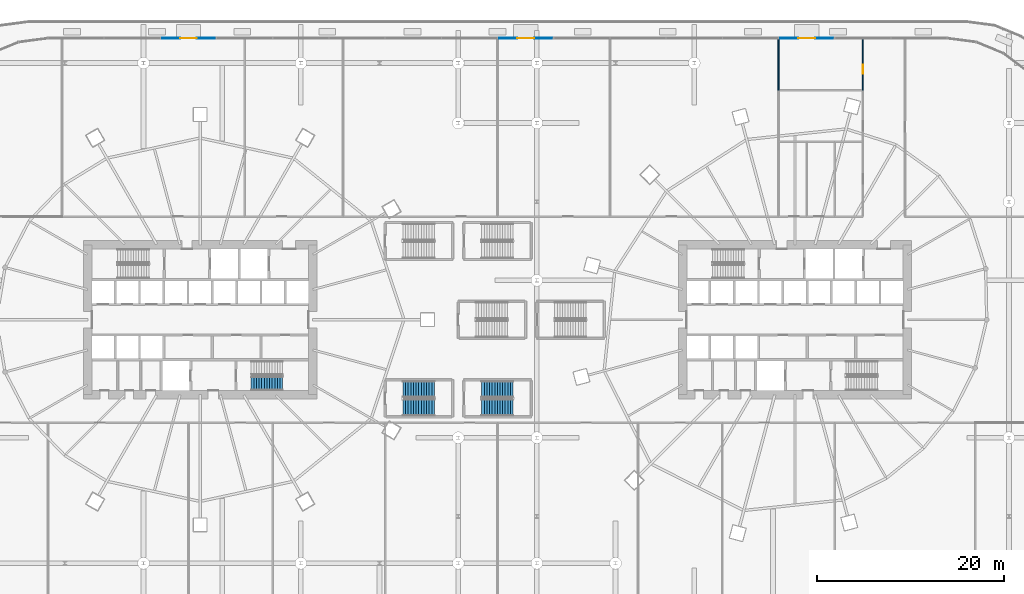
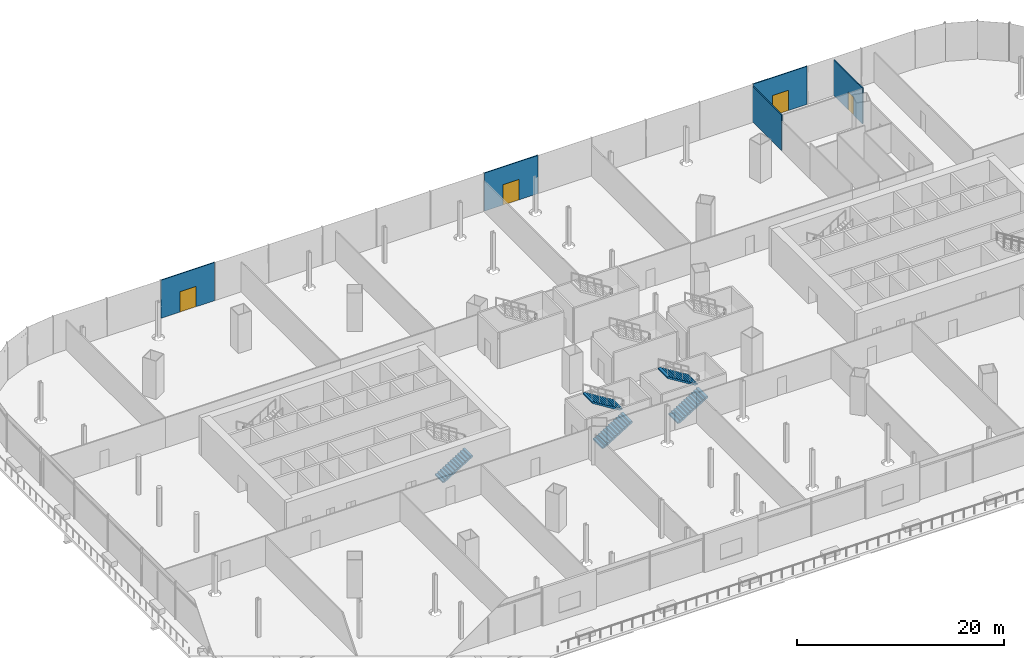
# One storey, part 44 of 56: 5 stair flights, 5 walls, 4 doors, 4 openings, 3 elements without a shape of their own.
"""IFC4 building model written with IfcOpenShell, lengths in metres."""

from ifc_helpers import new_model, si_unit, direction, frame, frame_2d, origin, place, context, subcontext, project, spatial, polyline, rectangle, outline, extrude, material, layer, layer_set, type_object, element, fill, aggregate, save


model = new_model("IFC4")

# Units and contexts
model_context = context("Model", 3, precision=1e-05, world=origin(), true_north=direction((0.0, 1.0)))
body_context = subcontext(model_context, "Body", "Model", "MODEL_VIEW")
ifc_project = project(units=[si_unit("LENGTHUNIT", "METRE"), si_unit("AREAUNIT", "SQUARE_METRE"), si_unit("VOLUMEUNIT", "CUBIC_METRE"), si_unit("PLANEANGLEUNIT", "RADIAN"), si_unit("MASSUNIT", "GRAM", prefix="KILO")], contexts=[model_context])

# Site, building, storey
site_placement = place(None, origin())
site = spatial("IfcSite", under=ifc_project, at=site_placement, CompositionType="ELEMENT")
building_placement = place(site_placement, origin())
building = spatial("IfcBuilding", under=site, at=building_placement, Name="Rimbun Link Towers", CompositionType="ELEMENT")
storey_placement = place(building_placement, frame((0.0, 0.0, 16.5)))
storey = spatial("IfcBuildingStorey", under=building, at=storey_placement, Name="L03", CompositionType="ELEMENT", Elevation=16.5)

# Wall, opening, door
ifc_material_1 = material(Name="Aluminium framed insulated infill panel", Category="aluminium")
ifc_layer_1 = layer(ifc_material_1, 0.10009765625)
ifc_layer_set_1 = layer_set([ifc_layer_1], Name="ED framed infill wall 100")
wall_type_1 = type_object("IfcWallType", Name="ED framed infill wall 100", PredefinedType="STANDARD", material=ifc_layer_set_1)
wall_1_placement = place(storey_placement, frame((30.02001953125, 30.050048828125, 0.0), z_axis=(0.0, 0.0, 1.0), x_axis=(1.0, 0.0, 0.0)))
wall_1 = element("IfcWall", 1, at=wall_1_placement, inside=storey, type_object=wall_type_1, Name="Framed door bay wall", PredefinedType="STANDARD", context=body_context, shape_type="SweptSolid", body=[
    extrude(rectangle(XDim=5.9599609375, YDim=0.10009765625, at=frame_2d((2.97998046875, 0.0))), origin(), (0.0, 0.0, 1.0), 4.5),
])
opening_1_placement = place(wall_1_placement, frame((2.080078125, 0.0, 0.0)))
opening_1 = element("IfcOpeningElement", 2, at=opening_1_placement, cuts=wall_1, Name="Opening ED35", PredefinedType="OPENING", context=body_context, shape_type="SweptSolid", body=[
    extrude(rectangle(XDim=1.800048828125, YDim=2.39990234375, at=frame_2d((0.89990234375, 1.199951171875))), frame((0.0, 0.06005859375, 0.0), z_axis=(0.0, -1.0, 0.0), x_axis=(1.0, 0.0, 0.0)), (0.0, 0.0, 1.0), 0.1201171875),
])
ifc_material_2 = material(Name="Aluminium framed glazed door, low-iron glass", Category="aluminium")
door_type_1 = type_object("IfcDoorType", Name="ED terrace door double leaf 1800X2400", OperationType="DOUBLE_DOOR_SINGLE_SWING", PredefinedType="DOOR", material=ifc_material_2)
door_1_placement = place(opening_1_placement, origin())
door_1 = element("IfcDoor", 3, at=door_1_placement, inside=storey, type_object=door_type_1, Name="Terrace door", OperationType="SINGLE_SWING_LEFT", OverallHeight=2.39990234375, OverallWidth=1.800048828125, PredefinedType="DOOR", context=body_context, shape_type="SweptSolid", body=[
    extrude(rectangle(XDim=1.800048828125, YDim=2.39990234375, at=frame_2d((0.89990234375, 1.199951171875))), frame((0.0, 0.02490234375, 0.0), z_axis=(0.0, -1.0, 0.0), x_axis=(1.0, 0.0, 0.0)), (0.0, 0.0, 1.0), 0.050048828125),
])
fill(opening_1, door_1)

wall_2_placement = place(storey_placement, frame((0.02001953125, 30.050048828125, 0.0), z_axis=(0.0, 0.0, 1.0), x_axis=(1.0, 0.0, 0.0)))
wall_2 = element("IfcWall", 4, at=wall_2_placement, inside=storey, type_object=wall_type_1, Name="Framed door bay wall", PredefinedType="STANDARD", context=body_context, shape_type="SweptSolid", body=[
    extrude(rectangle(XDim=5.9599609375, YDim=0.10009765625, at=frame_2d((2.97998046875, 0.0))), origin(), (0.0, 0.0, 1.0), 4.5),
])
opening_2_placement = place(wall_2_placement, frame((2.080078125, 0.0, 0.0)))
opening_2 = element("IfcOpeningElement", 5, at=opening_2_placement, cuts=wall_2, Name="Opening ED36", PredefinedType="OPENING", context=body_context, shape_type="SweptSolid", body=[
    extrude(rectangle(XDim=1.800048828125, YDim=2.39990234375, at=frame_2d((0.89990234375, 1.199951171875))), frame((0.0, 0.06005859375, 0.0), z_axis=(0.0, -1.0, 0.0), x_axis=(1.0, 0.0, 0.0)), (0.0, 0.0, 1.0), 0.1201171875),
])
door_2_placement = place(opening_2_placement, origin())
door_2 = element("IfcDoor", 6, at=door_2_placement, inside=storey, type_object=door_type_1, Name="Terrace door", OperationType="SINGLE_SWING_LEFT", OverallHeight=2.39990234375, OverallWidth=1.800048828125, PredefinedType="DOOR", context=body_context, shape_type="SweptSolid", body=[
    extrude(rectangle(XDim=1.800048828125, YDim=2.39990234375, at=frame_2d((0.89990234375, 1.199951171875))), frame((0.0, 0.02490234375, 0.0), z_axis=(0.0, -1.0, 0.0), x_axis=(1.0, 0.0, 0.0)), (0.0, 0.0, 1.0), 0.050048828125),
])
fill(opening_2, door_2)

wall_3_placement = place(storey_placement, frame((-35.97998046875, 30.050048828125, 0.0), z_axis=(0.0, 0.0, 1.0), x_axis=(1.0, 0.0, 0.0)))
wall_3 = element("IfcWall", 7, at=wall_3_placement, inside=storey, type_object=wall_type_1, Name="Framed door bay wall", PredefinedType="STANDARD", context=body_context, shape_type="SweptSolid", body=[
    extrude(rectangle(XDim=5.9599609375, YDim=0.10009765625, at=frame_2d((2.97998046875, 0.0))), origin(), (0.0, 0.0, 1.0), 4.5),
])
opening_3_placement = place(wall_3_placement, frame((2.080078125, 0.0, 0.0)))
opening_3 = element("IfcOpeningElement", 8, at=opening_3_placement, cuts=wall_3, Name="Opening ED37", PredefinedType="OPENING", context=body_context, shape_type="SweptSolid", body=[
    extrude(rectangle(XDim=1.800048828125, YDim=2.39990234375, at=frame_2d((0.89990234375, 1.199951171875))), frame((0.0, 0.06005859375, 0.0), z_axis=(0.0, -1.0, 0.0), x_axis=(1.0, 0.0, 0.0)), (0.0, 0.0, 1.0), 0.1201171875),
])
door_3_placement = place(opening_3_placement, origin())
door_3 = element("IfcDoor", 9, at=door_3_placement, inside=storey, type_object=door_type_1, Name="Terrace door", OperationType="SINGLE_SWING_LEFT", OverallHeight=2.39990234375, OverallWidth=1.800048828125, PredefinedType="DOOR", context=body_context, shape_type="SweptSolid", body=[
    extrude(rectangle(XDim=1.800048828125, YDim=2.39990234375, at=frame_2d((0.89990234375, 1.199951171875))), frame((0.0, 0.02490234375, 0.0), z_axis=(0.0, -1.0, 0.0), x_axis=(1.0, 0.0, 0.0)), (0.0, 0.0, 1.0), 0.050048828125),
])
fill(opening_3, door_3)

ifc_material_3 = material(Name="Gypsum board on steel studs", Category="steel")
ifc_layer_2 = layer(ifc_material_3, 0.125)
ifc_layer_set_2 = layer_set([ifc_layer_2], Name="Partition 125 board on studs")
wall_type_2 = type_object("IfcWallType", Name="Partition 125 board on studs", PredefinedType="PARTITIONING", material=ifc_layer_set_2)
wall_4_placement = place(storey_placement, frame((39.0, 30.080078125, 0.0), z_axis=(0.0, 0.0, 1.0), x_axis=(0.0, -1.0, 0.0)))
wall_4 = element("IfcWall", 10, at=wall_4_placement, inside=storey, type_object=wall_type_2, Name="PD/PW/L03/056", PredefinedType="PARTITIONING", context=body_context, shape_type="SweptSolid", body=[
    extrude(rectangle(XDim=5.580078125, YDim=0.125, at=frame_2d((2.7900390625, 0.0))), origin(), (0.0, 0.0, 1.0), 4.199951171875),
])
opening_4_placement = place(wall_4_placement, frame((2.842041015625, 0.0, 0.0)))
opening_4 = element("IfcOpeningElement", 11, at=opening_4_placement, cuts=wall_4, Name="Opening PD D03.15", PredefinedType="OPENING", context=body_context, shape_type="SweptSolid", body=[
    extrude(rectangle(XDim=1.0, YDim=2.10009765625, at=frame_2d((0.5, 1.050048828125))), frame((0.0, 0.072509765625, 0.0), z_axis=(0.0, -1.0, 0.0), x_axis=(1.0, 0.0, 0.0)), (0.0, 0.0, 1.0), 0.14501953125),
])
ifc_material_4 = material(Name="Timber door set", Category="wood")
door_type_2 = type_object("IfcDoorType", Name="Door single leaf 1000 x 2100", OperationType="NOTDEFINED", PredefinedType="DOOR", material=ifc_material_4)
door_4_placement = place(opening_4_placement, origin())
door_4 = element("IfcDoor", 12, at=door_4_placement, inside=storey, type_object=door_type_2, Name="PD/DR/L03/015", OperationType="SINGLE_SWING_RIGHT", OverallHeight=2.10009765625, OverallWidth=1.0, PredefinedType="DOOR", context=body_context, shape_type="SweptSolid", body=[
    extrude(rectangle(XDim=1.0, YDim=2.10009765625, at=frame_2d((0.5, 1.050048828125))), frame((0.0, 0.02490234375, 0.0), z_axis=(0.0, -1.0, 0.0), x_axis=(1.0, 0.0, 0.0)), (0.0, 0.0, 1.0), 0.050048828125),
])
fill(opening_4, door_4)

# Wall
wall_5_placement = place(storey_placement, frame((30.0, 30.080078125, 0.0), z_axis=(0.0, 0.0, 1.0), x_axis=(0.0, -1.0, 0.0)))
element("IfcWall", 13, at=wall_5_placement, inside=storey, type_object=wall_type_2, Name="PD/PW/L03/066", PredefinedType="PARTITIONING", context=body_context, shape_type="SweptSolid", body=[
    extrude(rectangle(XDim=5.60009765625, YDim=0.125, at=frame_2d((2.800048828125, 0.0))), origin(), (0.0, 0.0, 1.0), 4.199951171875),
])

# Stair, stair flight
ifc_material_5 = material(Name="Concrete C40/50", Category="concrete")
stair_type_1 = type_object("IfcStairType", Name="Exit stair 4500 rise", PredefinedType="HALF_TURN_STAIR", material=ifc_material_5)
stair_1_placement = place(storey_placement, origin())
stair_1 = element("IfcStair", 14, at=stair_1_placement, inside=storey, type_object=stair_type_1, Name="L03 EXIT STAIR B", PredefinedType="HALF_TURN_STAIR")
ifc_material_6 = material(Name="Concrete C40/50", Category="concrete")
stair_flight_type_1 = type_object("IfcStairFlightType", Name="Exit stair flight 4500 rise", PredefinedType="STRAIGHT", material=ifc_material_6)
stair_flight_1_placement = place(storey_placement, frame((-26.300048828125, -6.800048828125, 0.0), z_axis=(0.0, 0.0, 1.0), x_axis=(1.0, 0.0, 0.0)))
stair_flight_1 = element("IfcStairFlight", 15, at=stair_flight_1_placement, type_object=stair_flight_type_1, Name="ST2 flight 1", NumberOfRisers=13, NumberOfTreads=12, PredefinedType="STRAIGHT", RiserHeight=0.173076923, TreadLength=0.28, context=body_context, shape_type="SweptSolid", body=[
    extrude(outline(polyline([(0.0, 0.0), (0.0, 0.173095703125), (0.280029296875, 0.173095703125), (0.280029296875, 0.34619140625), (0.56005859375, 0.34619140625), (0.56005859375, 0.519287109375), (0.840087890625, 0.519287109375), (0.840087890625, 0.6923828125), (1.1201171875, 0.6923828125), (1.1201171875, 0.865478515625), (1.39990234375, 0.865478515625), (1.39990234375, 1.03857421875), (1.679931640625, 1.03857421875), (1.679931640625, 1.21142578125), (1.9599609375, 1.21142578125), (1.9599609375, 1.384521484375), (2.239990234375, 1.384521484375), (2.239990234375, 1.5576171875), (2.52001953125, 1.5576171875), (2.52001953125, 1.730712890625), (2.800048828125, 1.730712890625), (2.800048828125, 1.90380859375), (3.080078125, 1.90380859375), (3.080078125, 2.076904296875), (3.360107421875, 2.076904296875), (3.360107421875, 2.25), (3.360107421875, 1.900634765625), (0.280029296875, 0.0), (0.0, 0.0)])), frame((0.0, 0.75, 0.0), z_axis=(0.0, -1.0, 0.0), x_axis=(1.0, 0.0, 0.0)), (0.0, 0.0, 1.0), 1.5),
])
aggregate(stair_1, [stair_flight_1])

# Stair, stair flights
ifc_material_7 = material(Name="Concrete C40/50", Category="concrete")
stair_type_2 = type_object("IfcStairType", Name="Podium exit stair 1800", PredefinedType="HALF_TURN_STAIR", material=ifc_material_7)
stair_2_placement = place(storey_placement, origin())
stair_2 = element("IfcStair", 16, at=stair_2_placement, inside=storey, type_object=stair_type_2, Name="L03 PODIUM EXIT STAIR", PredefinedType="HALF_TURN_STAIR")
ifc_material_8 = material(Name="Concrete C40/50", Category="concrete")
stair_flight_type_2 = type_object("IfcStairFlightType", Name="Podium exit stair flight 1800", PredefinedType="STRAIGHT", material=ifc_material_8)
stair_flight_2_placement = place(storey_placement, frame((-10.10009765625, -9.375, 0.0), z_axis=(0.0, 0.0, 1.0), x_axis=(1.0, 0.0, 0.0)))
stair_flight_2 = element("IfcStairFlight", 17, at=stair_flight_2_placement, type_object=stair_flight_type_2, Name="PS1 flight 1", NumberOfRisers=13, NumberOfTreads=12, PredefinedType="STRAIGHT", RiserHeight=0.173076923, TreadLength=0.28, context=body_context, shape_type="SweptSolid", body=[
    extrude(outline(polyline([(0.0, 0.0), (0.0, 0.173095703125), (0.280029296875, 0.173095703125), (0.280029296875, 0.34619140625), (0.56005859375, 0.34619140625), (0.56005859375, 0.519287109375), (0.840087890625, 0.519287109375), (0.840087890625, 0.6923828125), (1.1201171875, 0.6923828125), (1.1201171875, 0.865478515625), (1.39990234375, 0.865478515625), (1.39990234375, 1.03857421875), (1.679931640625, 1.03857421875), (1.679931640625, 1.21142578125), (1.9599609375, 1.21142578125), (1.9599609375, 1.384521484375), (2.239990234375, 1.384521484375), (2.239990234375, 1.5576171875), (2.52001953125, 1.5576171875), (2.52001953125, 1.730712890625), (2.800048828125, 1.730712890625), (2.800048828125, 1.90380859375), (3.080078125, 1.90380859375), (3.080078125, 2.076904296875), (3.360107421875, 2.076904296875), (3.360107421875, 2.25), (3.360107421875, 1.900634765625), (0.280029296875, 0.0), (0.0, 0.0)])), frame((0.0, 0.89990234375, 0.0), z_axis=(0.0, -1.0, 0.0), x_axis=(1.0, 0.0, 0.0)), (0.0, 0.0, 1.0), 1.800048828125),
])
stair_flight_3_placement = place(storey_placement, frame((-6.739990234375, -7.425048828125, 2.25), z_axis=(0.0, 0.0, 1.0), x_axis=(-1.0, 0.0, 0.0)))
stair_flight_3 = element("IfcStairFlight", 18, at=stair_flight_3_placement, type_object=stair_flight_type_2, Name="PS1 flight 2", NumberOfRisers=13, NumberOfTreads=12, PredefinedType="STRAIGHT", RiserHeight=0.173076923, TreadLength=0.28, context=body_context, shape_type="SweptSolid", body=[
    extrude(outline(polyline([(0.0, 0.0), (0.0, 0.173095703125), (0.280029296875, 0.173095703125), (0.280029296875, 0.34619140625), (0.56005859375, 0.34619140625), (0.56005859375, 0.519287109375), (0.840087890625, 0.519287109375), (0.840087890625, 0.6923828125), (1.1201171875, 0.6923828125), (1.1201171875, 0.865478515625), (1.39990234375, 0.865478515625), (1.39990234375, 1.03857421875), (1.679931640625, 1.03857421875), (1.679931640625, 1.21142578125), (1.9599609375, 1.21142578125), (1.9599609375, 1.384521484375), (2.239990234375, 1.384521484375), (2.239990234375, 1.5576171875), (2.52001953125, 1.5576171875), (2.52001953125, 1.730712890625), (2.800048828125, 1.730712890625), (2.800048828125, 1.90380859375), (3.080078125, 1.90380859375), (3.080078125, 2.076904296875), (3.360107421875, 2.076904296875), (3.360107421875, 2.25), (3.360107421875, 1.900634765625), (0.280029296875, 0.0), (0.0, 0.0)])), frame((0.0, 0.89990234375, 0.0), z_axis=(0.0, -1.0, 0.0), x_axis=(1.0, 0.0, 0.0)), (0.0, 0.0, 1.0), 1.800048828125),
])
aggregate(stair_2, [stair_flight_2, stair_flight_3])

stair_3_placement = place(storey_placement, origin())
stair_3 = element("IfcStair", 19, at=stair_3_placement, inside=storey, type_object=stair_type_2, Name="L03 PODIUM EXIT STAIR", PredefinedType="HALF_TURN_STAIR")
stair_flight_4_placement = place(storey_placement, frame((-1.699951171875, -9.375, 0.0), z_axis=(0.0, 0.0, 1.0), x_axis=(1.0, 0.0, 0.0)))
stair_flight_4 = element("IfcStairFlight", 20, at=stair_flight_4_placement, type_object=stair_flight_type_2, Name="PS2 flight 1", NumberOfRisers=13, NumberOfTreads=12, PredefinedType="STRAIGHT", RiserHeight=0.173076923, TreadLength=0.28, context=body_context, shape_type="SweptSolid", body=[
    extrude(outline(polyline([(0.0, 0.0), (0.0, 0.173095703125), (0.280029296875, 0.173095703125), (0.280029296875, 0.34619140625), (0.56005859375, 0.34619140625), (0.56005859375, 0.519287109375), (0.840087890625, 0.519287109375), (0.840087890625, 0.6923828125), (1.1201171875, 0.6923828125), (1.1201171875, 0.865478515625), (1.39990234375, 0.865478515625), (1.39990234375, 1.03857421875), (1.679931640625, 1.03857421875), (1.679931640625, 1.21142578125), (1.9599609375, 1.21142578125), (1.9599609375, 1.384521484375), (2.239990234375, 1.384521484375), (2.239990234375, 1.5576171875), (2.52001953125, 1.5576171875), (2.52001953125, 1.730712890625), (2.800048828125, 1.730712890625), (2.800048828125, 1.90380859375), (3.080078125, 1.90380859375), (3.080078125, 2.076904296875), (3.360107421875, 2.076904296875), (3.360107421875, 2.25), (3.360107421875, 1.900634765625), (0.280029296875, 0.0), (0.0, 0.0)])), frame((0.0, 0.89990234375, 0.0), z_axis=(0.0, -1.0, 0.0), x_axis=(1.0, 0.0, 0.0)), (0.0, 0.0, 1.0), 1.800048828125),
])
stair_flight_5_placement = place(storey_placement, frame((1.659912109375, -7.425048828125, 2.25), z_axis=(0.0, 0.0, 1.0), x_axis=(-1.0, 0.0, 0.0)))
stair_flight_5 = element("IfcStairFlight", 21, at=stair_flight_5_placement, type_object=stair_flight_type_2, Name="PS2 flight 2", NumberOfRisers=13, NumberOfTreads=12, PredefinedType="STRAIGHT", RiserHeight=0.173076923, TreadLength=0.28, context=body_context, shape_type="SweptSolid", body=[
    extrude(outline(polyline([(0.0, 0.0), (0.0, 0.173095703125), (0.280029296875, 0.173095703125), (0.280029296875, 0.34619140625), (0.56005859375, 0.34619140625), (0.56005859375, 0.519287109375), (0.840087890625, 0.519287109375), (0.840087890625, 0.6923828125), (1.1201171875, 0.6923828125), (1.1201171875, 0.865478515625), (1.39990234375, 0.865478515625), (1.39990234375, 1.03857421875), (1.679931640625, 1.03857421875), (1.679931640625, 1.21142578125), (1.9599609375, 1.21142578125), (1.9599609375, 1.384521484375), (2.239990234375, 1.384521484375), (2.239990234375, 1.5576171875), (2.52001953125, 1.5576171875), (2.52001953125, 1.730712890625), (2.800048828125, 1.730712890625), (2.800048828125, 1.90380859375), (3.080078125, 1.90380859375), (3.080078125, 2.076904296875), (3.360107421875, 2.076904296875), (3.360107421875, 2.25), (3.360107421875, 1.900634765625), (0.280029296875, 0.0), (0.0, 0.0)])), frame((0.0, 0.89990234375, 0.0), z_axis=(0.0, -1.0, 0.0), x_axis=(1.0, 0.0, 0.0)), (0.0, 0.0, 1.0), 1.800048828125),
])
aggregate(stair_3, [stair_flight_4, stair_flight_5])

save(model, "model.ifc")
